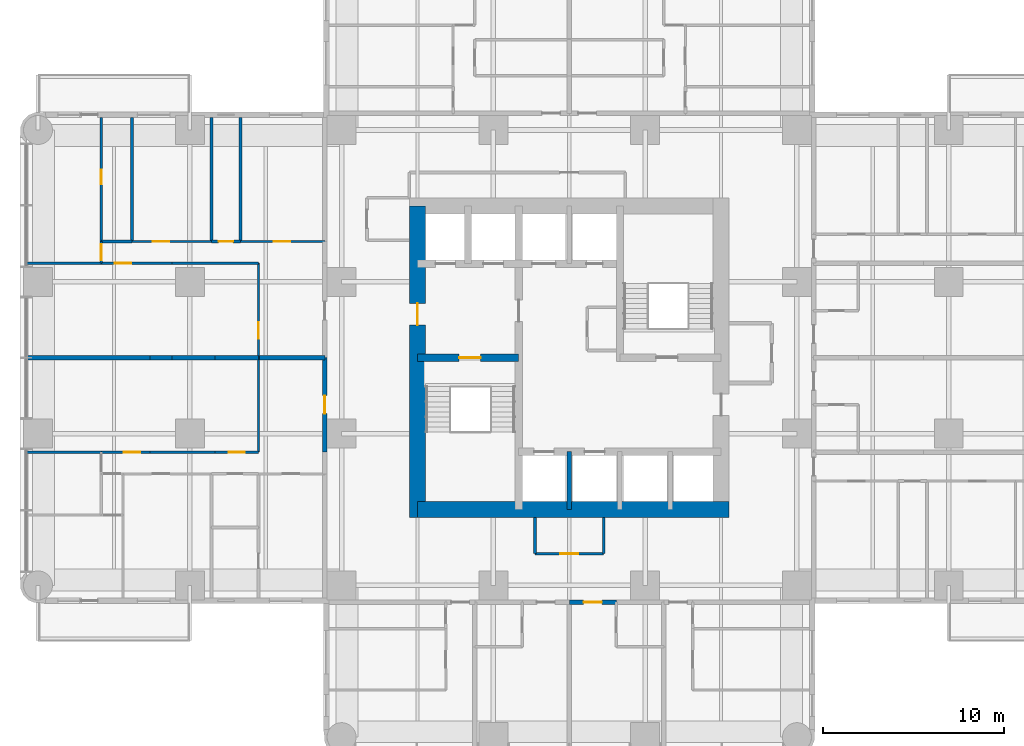
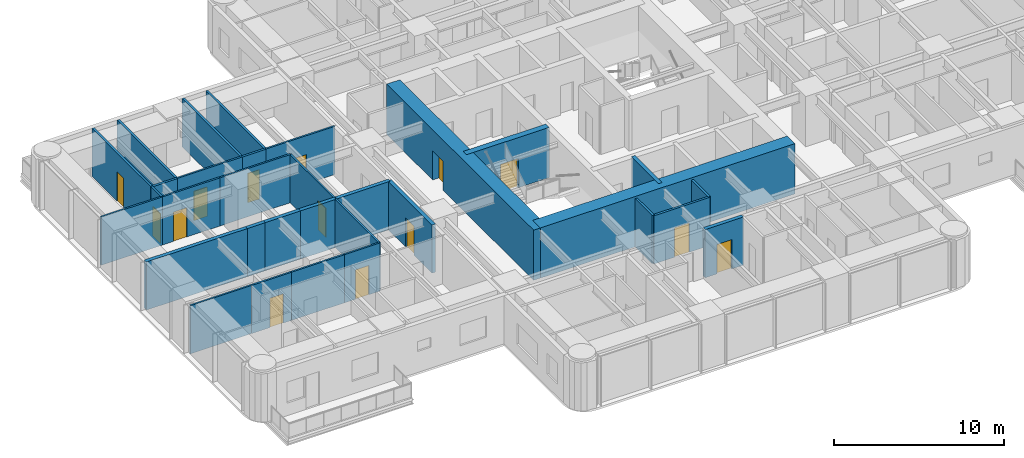
# One storey, part 7 of 14: 32 walls, 14 doors, 14 openings.
"""IFC4 building model written with IfcOpenShell, lengths in metres."""

from ifc_helpers import new_model, si_unit, direction, frame, frame_2d, origin, place, context, subcontext, project, spatial, rectangle, extrude, material, layer, layer_set, type_object, element, fill, save


model = new_model("IFC4")

# Units and contexts
model_context = context("Model", 3, precision=1e-05, world=origin(), true_north=direction((0.0, 1.0)))
body_context = subcontext(model_context, "Body", "Model", "MODEL_VIEW")
ifc_project = project(units=[si_unit("LENGTHUNIT", "METRE"), si_unit("AREAUNIT", "SQUARE_METRE"), si_unit("VOLUMEUNIT", "CUBIC_METRE"), si_unit("PLANEANGLEUNIT", "RADIAN"), si_unit("MASSUNIT", "GRAM", prefix="KILO")], contexts=[model_context])

# Site, building, storey
site_placement = place(None, origin())
site = spatial("IfcSite", under=ifc_project, at=site_placement, CompositionType="ELEMENT")
building_placement = place(site_placement, origin())
building = spatial("IfcBuilding", under=site, at=building_placement, Name="Torre Alcanfor", CompositionType="ELEMENT")
storey_placement = place(building_placement, frame((0.0, 0.0, 155.699951171875)))
storey = spatial("IfcBuildingStorey", under=building, at=storey_placement, Name="L40", CompositionType="ELEMENT", Elevation=155.699951171875)

# Wall, opening, door
ifc_material_1 = material(Name="Concrete block masonry, hollow blocks NMX-C-404 9 MPa", Category="masonry")
ifc_layer_1 = layer(ifc_material_1, 0.25)
ifc_layer_set_1 = layer_set([ifc_layer_1], Name="Apartment entrance wall 250 EI 60")
wall_type_1 = type_object("IfcWallType", Name="Apartment entrance wall 250 EI 60", PredefinedType="PARTITIONING", material=ifc_layer_set_1)
wall_1_placement = place(storey_placement, frame((32.0, 15.875, 0.0), z_axis=(0.0, 0.0, 1.0), x_axis=(-1.0, 0.0, 0.0)))
wall_1 = element("IfcWall", 1, at=wall_1_placement, inside=storey, type_object=wall_type_1, Name="Partition L40-CORR / L40-S1A-STUDIO", PredefinedType="PARTITIONING", context=body_context, shape_type="SweptSolid", body=[
    extrude(rectangle(XDim=2.60009765625, YDim=0.25, at=frame_2d((1.300048828125, 0.0))), origin(), (0.0, 0.0, 1.0), 3.449951171875),
])
opening_1_placement = place(wall_1_placement, frame((0.800048828125, 0.0, 0.0)))
opening_1 = element("IfcOpeningElement", 2, at=opening_1_placement, cuts=wall_1, Name="Opening D-A1", PredefinedType="OPENING", context=body_context, shape_type="SweptSolid", body=[
    extrude(rectangle(XDim=1.0, YDim=2.10009765625, at=frame_2d((0.5, 1.050048828125))), frame((0.0, 0.135009765625, 0.0), z_axis=(0.0, -1.0, 0.0), x_axis=(1.0, 0.0, 0.0)), (0.0, 0.0, 1.0), 0.27001953125),
])
ifc_material_2 = material(Name="Galvanised steel sheet ASTM A653", Category="steel")
door_type_1 = type_object("IfcDoorType", Name="Apartment entrance door FD60 1000x2100", OperationType="SINGLE_SWING_LEFT", PredefinedType="DOOR", material=ifc_material_2)
door_1_placement = place(opening_1_placement, origin())
door_1 = element("IfcDoor", 3, at=door_1_placement, inside=storey, type_object=door_type_1, Name="Apartment entrance L40-S1A", OperationType="SINGLE_SWING_LEFT", OverallHeight=2.10009765625, OverallWidth=1.0, PredefinedType="DOOR", context=body_context, shape_type="SweptSolid", body=[
    extrude(rectangle(XDim=1.0, YDim=2.10009765625, at=frame_2d((0.5, 1.050048828125))), frame((0.0, 0.02490234375, 0.0), z_axis=(0.0, -1.0, 0.0), x_axis=(1.0, 0.0, 0.0)), (0.0, 0.0, 1.0), 0.050048828125),
])
fill(opening_1, door_1)

wall_2_placement = place(storey_placement, frame((15.875, 24.1708984375, 0.0), z_axis=(0.0, 0.0, 1.0), x_axis=(0.0, 1.0, 0.0)))
wall_2 = element("IfcWall", 4, at=wall_2_placement, inside=storey, type_object=wall_type_1, Name="Partition L40-CORR / L40-W1-ZAG", PredefinedType="PARTITIONING", context=body_context, shape_type="SweptSolid", body=[
    extrude(rectangle(XDim=5.22900390625, YDim=0.25, at=frame_2d((2.614501953125, 0.0))), origin(), (0.0, 0.0, 1.0), 3.449951171875),
])
opening_2_placement = place(wall_2_placement, frame((2.12890625, 0.0, 0.0)))
opening_2 = element("IfcOpeningElement", 5, at=opening_2_placement, cuts=wall_2, Name="Opening D-A1", PredefinedType="OPENING", context=body_context, shape_type="SweptSolid", body=[
    extrude(rectangle(XDim=1.0, YDim=2.10009765625, at=frame_2d((0.5, 1.050048828125))), frame((0.0, 0.135009765625, 0.0), z_axis=(0.0, -1.0, 0.0), x_axis=(1.0, 0.0, 0.0)), (0.0, 0.0, 1.0), 0.27001953125),
])
door_2_placement = place(opening_2_placement, origin())
door_2 = element("IfcDoor", 6, at=door_2_placement, inside=storey, type_object=door_type_1, Name="Apartment entrance L40-W1", OperationType="SINGLE_SWING_RIGHT", OverallHeight=2.10009765625, OverallWidth=1.0, PredefinedType="DOOR", context=body_context, shape_type="SweptSolid", body=[
    extrude(rectangle(XDim=1.0, YDim=2.10009765625, at=frame_2d((0.5, 1.050048828125))), frame((0.0, 0.02490234375, 0.0), z_axis=(0.0, -1.0, 0.0), x_axis=(1.0, 0.0, 0.0)), (0.0, 0.0, 1.0), 0.050048828125),
])
fill(opening_2, door_2)

# Wall
ifc_material_3 = material(Name="Gypsum board on steel studs", Category="steel")
ifc_layer_2 = layer(ifc_material_3, 0.1201171875)
ifc_layer_set_2 = layer_set([ifc_layer_2], Name="Apartment partition 120")
wall_type_2 = type_object("IfcWallType", Name="Apartment partition 120", PredefinedType="PARTITIONING", material=ifc_layer_set_2)
wall_3_placement = place(storey_placement, frame((12.199951171875, 29.39990234375, 0.0), z_axis=(0.0, 0.0, 1.0), x_axis=(0.0, -1.0, 0.0)))
element("IfcWall", 7, at=wall_3_placement, inside=storey, type_object=wall_type_2, Name="Partition L40-W1-ZAG / L40-W1-LAUND", PredefinedType="PARTITIONING", context=body_context, shape_type="SweptSolid", body=[
    extrude(rectangle(XDim=5.22900390625, YDim=0.1201171875, at=frame_2d((2.614501953125, 0.0))), origin(), (0.0, 0.0, 1.0), 3.449951171875),
])

# Wall, opening, door
wall_4_placement = place(storey_placement, frame((9.800048828125, 24.1708984375, 0.0), z_axis=(0.0, 0.0, 1.0), x_axis=(1.0, 0.0, 0.0)))
wall_4 = element("IfcWall", 8, at=wall_4_placement, inside=storey, type_object=wall_type_2, Name="Partition L40-W1-LAUND / L40-W1-HALL", PredefinedType="PARTITIONING", context=body_context, shape_type="SweptSolid", body=[
    extrude(rectangle(XDim=2.39990234375, YDim=0.1201171875, at=frame_2d((1.199951171875, 0.0))), origin(), (0.0, 0.0, 1.0), 3.449951171875),
])
opening_3_placement = place(wall_4_placement, frame((0.75, 0.0, 0.0)))
opening_3 = element("IfcOpeningElement", 9, at=opening_3_placement, cuts=wall_4, Name="Opening D-R1", PredefinedType="OPENING", context=body_context, shape_type="SweptSolid", body=[
    extrude(rectangle(XDim=0.89990234375, YDim=2.10009765625, at=frame_2d((0.449951171875, 1.050048828125))), frame((0.0, 0.070068359375, 0.0), z_axis=(0.0, -1.0, 0.0), x_axis=(1.0, 0.0, 0.0)), (0.0, 0.0, 1.0), 0.14013671875),
])
ifc_material_4 = material(Name="Timber", Category="wood")
door_type_2 = type_object("IfcDoorType", Name="Internal door 900x2100", OperationType="SINGLE_SWING_LEFT", PredefinedType="DOOR", material=ifc_material_4)
door_3_placement = place(opening_3_placement, origin())
door_3 = element("IfcDoor", 10, at=door_3_placement, inside=storey, type_object=door_type_2, Name="Door L40-W1 laund", OperationType="SINGLE_SWING_LEFT", OverallHeight=2.10009765625, OverallWidth=0.89990234375, PredefinedType="DOOR", context=body_context, shape_type="SweptSolid", body=[
    extrude(rectangle(XDim=0.89990234375, YDim=2.10009765625, at=frame_2d((0.449951171875, 1.050048828125))), frame((0.0, 0.02490234375, 0.0), z_axis=(0.0, -1.0, 0.0), x_axis=(1.0, 0.0, 0.0)), (0.0, 0.0, 1.0), 0.050048828125),
])
fill(opening_3, door_3)

# Wall
wall_5_placement = place(storey_placement, frame((6.199951171875, 24.1708984375, 0.0), z_axis=(0.0, 0.0, 1.0), x_axis=(1.0, 0.0, 0.0)))
element("IfcWall", 11, at=wall_5_placement, inside=storey, type_object=wall_type_2, Name="Partition L40-W1-KITCHEN / L40-W1-HALL", PredefinedType="PARTITIONING", context=body_context, shape_type="SweptSolid", body=[
    extrude(rectangle(XDim=3.60009765625, YDim=0.1201171875, at=frame_2d((1.800048828125, 0.0))), origin(), (0.0, 0.0, 1.0), 3.449951171875),
])

# Wall, opening, door
wall_6_placement = place(storey_placement, frame((3.5, 24.1708984375, 0.0), z_axis=(0.0, 0.0, 1.0), x_axis=(1.0, 0.0, 0.0)))
wall_6 = element("IfcWall", 12, at=wall_6_placement, inside=storey, type_object=wall_type_2, Name="Partition L40-W1-LIVING / L40-W1-HALL", PredefinedType="PARTITIONING", context=body_context, shape_type="SweptSolid", body=[
    extrude(rectangle(XDim=2.699951171875, YDim=0.1201171875, at=frame_2d((1.35009765625, 0.0))), origin(), (0.0, 0.0, 1.0), 3.449951171875),
])
opening_4_placement = place(wall_6_placement, frame((1.25, 0.0, 0.0)))
opening_4 = element("IfcOpeningElement", 13, at=opening_4_placement, cuts=wall_6, Name="Opening D-R1", PredefinedType="OPENING", context=body_context, shape_type="SweptSolid", body=[
    extrude(rectangle(XDim=0.89990234375, YDim=2.10009765625, at=frame_2d((0.449951171875, 1.050048828125))), frame((0.0, 0.070068359375, 0.0), z_axis=(0.0, -1.0, 0.0), x_axis=(1.0, 0.0, 0.0)), (0.0, 0.0, 1.0), 0.14013671875),
])
door_4_placement = place(opening_4_placement, origin())
door_4 = element("IfcDoor", 14, at=door_4_placement, inside=storey, type_object=door_type_2, Name="Door L40-W1 living", OperationType="SINGLE_SWING_RIGHT", OverallHeight=2.10009765625, OverallWidth=0.89990234375, PredefinedType="DOOR", context=body_context, shape_type="SweptSolid", body=[
    extrude(rectangle(XDim=0.89990234375, YDim=2.10009765625, at=frame_2d((0.449951171875, 1.050048828125))), frame((0.0, 0.02490234375, 0.0), z_axis=(0.0, -1.0, 0.0), x_axis=(1.0, 0.0, 0.0)), (0.0, 0.0, 1.0), 0.050048828125),
])
fill(opening_4, door_4)

# Wall
wall_7_placement = place(storey_placement, frame((-0.64990234375, 24.1708984375, 0.0), z_axis=(0.0, 0.0, 1.0), x_axis=(1.0, 0.0, 0.0)))
element("IfcWall", 15, at=wall_7_placement, inside=storey, type_object=wall_type_2, Name="Partition L40-W1-LIVING / L40-W1-BED2", PredefinedType="PARTITIONING", context=body_context, shape_type="SweptSolid", body=[
    extrude(rectangle(XDim=4.14990234375, YDim=0.1201171875, at=frame_2d((2.074951171875, 0.0))), origin(), (0.0, 0.0, 1.0), 3.449951171875),
])

# Wall, opening, door
wall_8_placement = place(storey_placement, frame((12.199951171875, 29.39990234375, 0.0), z_axis=(0.0, 0.0, 1.0), x_axis=(0.0, 1.0, 0.0)))
wall_8 = element("IfcWall", 16, at=wall_8_placement, inside=storey, type_object=wall_type_2, Name="Partition L40-W2-ZAG / L40-W2-KITCHEN", PredefinedType="PARTITIONING", context=body_context, shape_type="SweptSolid", body=[
    extrude(rectangle(XDim=5.22900390625, YDim=0.1201171875, at=frame_2d((2.614501953125, 0.0))), origin(), (0.0, 0.0, 1.0), 3.449951171875),
])
opening_5_placement = place(wall_8_placement, frame((1.050048828125, 0.0, 0.0)))
opening_5 = element("IfcOpeningElement", 17, at=opening_5_placement, cuts=wall_8, Name="Opening D-R1", PredefinedType="OPENING", context=body_context, shape_type="SweptSolid", body=[
    extrude(rectangle(XDim=0.89990234375, YDim=2.10009765625, at=frame_2d((0.449951171875, 1.050048828125))), frame((0.0, 0.070068359375, 0.0), z_axis=(0.0, -1.0, 0.0), x_axis=(1.0, 0.0, 0.0)), (0.0, 0.0, 1.0), 0.14013671875),
])
door_5_placement = place(opening_5_placement, origin())
door_5 = element("IfcDoor", 18, at=door_5_placement, inside=storey, type_object=door_type_2, Name="Door L40-W2 kitchen", OperationType="SINGLE_SWING_LEFT", OverallHeight=2.10009765625, OverallWidth=0.89990234375, PredefinedType="DOOR", context=body_context, shape_type="SweptSolid", body=[
    extrude(rectangle(XDim=0.89990234375, YDim=2.10009765625, at=frame_2d((0.449951171875, 1.050048828125))), frame((0.0, 0.02490234375, 0.0), z_axis=(0.0, -1.0, 0.0), x_axis=(1.0, 0.0, 0.0)), (0.0, 0.0, 1.0), 0.050048828125),
])
fill(opening_5, door_5)

# Wall
wall_9_placement = place(storey_placement, frame((7.39990234375, 34.62890625, 0.0), z_axis=(0.0, 0.0, 1.0), x_axis=(1.0, 0.0, 0.0)))
element("IfcWall", 19, at=wall_9_placement, inside=storey, type_object=wall_type_2, Name="Partition L40-W2-KITCHEN / L40-W2-HALL", PredefinedType="PARTITIONING", context=body_context, shape_type="SweptSolid", body=[
    extrude(rectangle(XDim=4.800048828125, YDim=0.1201171875, at=frame_2d((2.39990234375, 0.0))), origin(), (0.0, 0.0, 1.0), 3.449951171875),
])

# Wall, opening, door
wall_10_placement = place(storey_placement, frame((3.5, 34.62890625, 0.0), z_axis=(0.0, 0.0, 1.0), x_axis=(1.0, 0.0, 0.0)))
wall_10 = element("IfcWall", 20, at=wall_10_placement, inside=storey, type_object=wall_type_2, Name="Partition L40-W2-LIVING / L40-W2-HALL", PredefinedType="PARTITIONING", context=body_context, shape_type="SweptSolid", body=[
    extrude(rectangle(XDim=3.89990234375, YDim=0.1201171875, at=frame_2d((1.949951171875, 0.0))), origin(), (0.0, 0.0, 1.0), 3.449951171875),
])
opening_6_placement = place(wall_10_placement, frame((0.75, 0.0, 0.0)))
opening_6 = element("IfcOpeningElement", 21, at=opening_6_placement, cuts=wall_10, Name="Opening D-R1", PredefinedType="OPENING", context=body_context, shape_type="SweptSolid", body=[
    extrude(rectangle(XDim=0.89990234375, YDim=2.10009765625, at=frame_2d((0.449951171875, 1.050048828125))), frame((0.0, 0.070068359375, 0.0), z_axis=(0.0, -1.0, 0.0), x_axis=(1.0, 0.0, 0.0)), (0.0, 0.0, 1.0), 0.14013671875),
])
door_6_placement = place(opening_6_placement, frame((0.89990234375, 0.0, 0.0), z_axis=(0.0, 0.0, 1.0), x_axis=(-1.0, 0.0, 0.0)))
door_6 = element("IfcDoor", 22, at=door_6_placement, inside=storey, type_object=door_type_2, Name="Door L40-W2 living", OperationType="SINGLE_SWING_LEFT", OverallHeight=2.10009765625, OverallWidth=0.89990234375, PredefinedType="DOOR", context=body_context, shape_type="SweptSolid", body=[
    extrude(rectangle(XDim=0.89990234375, YDim=2.10009765625, at=frame_2d((0.449951171875, 1.050048828125))), frame((0.0, 0.025146484375, 0.0), z_axis=(0.0, -1.0, 0.0), x_axis=(1.0, 0.0, 0.0)), (0.0, 0.0, 1.0), 0.050048828125),
])
fill(opening_6, door_6)

# Wall
wall_11_placement = place(storey_placement, frame((-0.64990234375, 34.62890625, 0.0), z_axis=(0.0, 0.0, 1.0), x_axis=(1.0, 0.0, 0.0)))
element("IfcWall", 23, at=wall_11_placement, inside=storey, type_object=wall_type_2, Name="Partition L40-W2-LIVING / L40-W2-MASTER", PredefinedType="PARTITIONING", context=body_context, shape_type="SweptSolid", body=[
    extrude(rectangle(XDim=4.14990234375, YDim=0.1201171875, at=frame_2d((2.074951171875, 0.0))), origin(), (0.0, 0.0, 1.0), 3.449951171875),
])

# Wall, opening, door
wall_12_placement = place(storey_placement, frame((11.199951171875, 35.8291015625, 0.0), z_axis=(0.0, 0.0, 1.0), x_axis=(1.0, 0.0, 0.0)))
wall_12 = element("IfcWall", 24, at=wall_12_placement, inside=storey, type_object=wall_type_2, Name="Partition L40-W2-HALL / L40-W2-BED3", PredefinedType="PARTITIONING", context=body_context, shape_type="SweptSolid", body=[
    extrude(rectangle(XDim=4.675048828125, YDim=0.1201171875, at=frame_2d((2.33740234375, 0.0))), origin(), (0.0, 0.0, 1.0), 3.449951171875),
])
opening_7_placement = place(wall_12_placement, frame((1.85009765625, 0.0, 0.0)))
opening_7 = element("IfcOpeningElement", 25, at=opening_7_placement, cuts=wall_12, Name="Opening D-R1", PredefinedType="OPENING", context=body_context, shape_type="SweptSolid", body=[
    extrude(rectangle(XDim=0.89990234375, YDim=2.10009765625, at=frame_2d((0.449951171875, 1.050048828125))), frame((0.0, 0.070068359375, 0.0), z_axis=(0.0, -1.0, 0.0), x_axis=(1.0, 0.0, 0.0)), (0.0, 0.0, 1.0), 0.14013671875),
])
door_7_placement = place(opening_7_placement, origin())
door_7 = element("IfcDoor", 26, at=door_7_placement, inside=storey, type_object=door_type_2, Name="Door L40-W2 bed3", OperationType="SINGLE_SWING_LEFT", OverallHeight=2.10009765625, OverallWidth=0.89990234375, PredefinedType="DOOR", context=body_context, shape_type="SweptSolid", body=[
    extrude(rectangle(XDim=0.89990234375, YDim=2.10009765625, at=frame_2d((0.449951171875, 1.050048828125))), frame((0.0, 0.02490234375, 0.0), z_axis=(0.0, -1.0, 0.0), x_axis=(1.0, 0.0, 0.0)), (0.0, 0.0, 1.0), 0.050048828125),
])
fill(opening_7, door_7)

wall_13_placement = place(storey_placement, frame((5.199951171875, 35.8291015625, 0.0), z_axis=(0.0, 0.0, 1.0), x_axis=(1.0, 0.0, 0.0)))
wall_13 = element("IfcWall", 27, at=wall_13_placement, inside=storey, type_object=wall_type_2, Name="Partition L40-W2-HALL / L40-W2-BED2", PredefinedType="PARTITIONING", context=body_context, shape_type="SweptSolid", body=[
    extrude(rectangle(XDim=4.400146484375, YDim=0.1201171875, at=frame_2d((2.2001953125, 0.0))), origin(), (0.0, 0.0, 1.0), 3.449951171875),
])
opening_8_placement = place(wall_13_placement, frame((1.14990234375, 0.0, 0.0)))
opening_8 = element("IfcOpeningElement", 28, at=opening_8_placement, cuts=wall_13, Name="Opening D-R1", PredefinedType="OPENING", context=body_context, shape_type="SweptSolid", body=[
    extrude(rectangle(XDim=0.89990234375, YDim=2.10009765625, at=frame_2d((0.449951171875, 1.050048828125))), frame((0.0, 0.070068359375, 0.0), z_axis=(0.0, -1.0, 0.0), x_axis=(1.0, 0.0, 0.0)), (0.0, 0.0, 1.0), 0.14013671875),
])
door_8_placement = place(opening_8_placement, origin())
door_8 = element("IfcDoor", 29, at=door_8_placement, inside=storey, type_object=door_type_2, Name="Door L40-W2 bed2", OperationType="SINGLE_SWING_LEFT", OverallHeight=2.10009765625, OverallWidth=0.89990234375, PredefinedType="DOOR", context=body_context, shape_type="SweptSolid", body=[
    extrude(rectangle(XDim=0.89990234375, YDim=2.10009765625, at=frame_2d((0.449951171875, 1.050048828125))), frame((0.0, 0.02490234375, 0.0), z_axis=(0.0, -1.0, 0.0), x_axis=(1.0, 0.0, 0.0)), (0.0, 0.0, 1.0), 0.050048828125),
])
fill(opening_8, door_8)

wall_14_placement = place(storey_placement, frame((3.5, 34.62890625, 0.0), z_axis=(0.0, 0.0, 1.0), x_axis=(0.0, 1.0, 0.0)))
wall_14 = element("IfcWall", 30, at=wall_14_placement, inside=storey, type_object=wall_type_2, Name="Partition L40-W2-HALL / L40-W2-MASTER", PredefinedType="PARTITIONING", context=body_context, shape_type="SweptSolid", body=[
    extrude(rectangle(XDim=1.2001953125, YDim=0.1201171875, at=frame_2d((0.60009765625, 0.0))), origin(), (0.0, 0.0, 1.0), 3.449951171875),
])
opening_9_placement = place(wall_14_placement, frame((0.15087890625, 0.0, 0.0)))
opening_9 = element("IfcOpeningElement", 31, at=opening_9_placement, cuts=wall_14, Name="Opening D-R1", PredefinedType="OPENING", context=body_context, shape_type="SweptSolid", body=[
    extrude(rectangle(XDim=0.89990234375, YDim=2.10009765625, at=frame_2d((0.449951171875, 1.050048828125))), frame((0.0, 0.070068359375, 0.0), z_axis=(0.0, -1.0, 0.0), x_axis=(1.0, 0.0, 0.0)), (0.0, 0.0, 1.0), 0.14013671875),
])
door_9_placement = place(opening_9_placement, origin())
door_9 = element("IfcDoor", 32, at=door_9_placement, inside=storey, type_object=door_type_2, Name="Door L40-W2 master", OperationType="SINGLE_SWING_LEFT", OverallHeight=2.10009765625, OverallWidth=0.89990234375, PredefinedType="DOOR", context=body_context, shape_type="SweptSolid", body=[
    extrude(rectangle(XDim=0.89990234375, YDim=2.10009765625, at=frame_2d((0.449951171875, 1.050048828125))), frame((0.0, 0.02490234375, 0.0), z_axis=(0.0, -1.0, 0.0), x_axis=(1.0, 0.0, 0.0)), (0.0, 0.0, 1.0), 0.050048828125),
])
fill(opening_9, door_9)

ifc_material_5 = material(Name="Concrete f'c 70 MPa", Category="concrete")
ifc_layer_3 = layer(ifc_material_5, 0.39990234375)
ifc_layer_set_3 = layer_set([ifc_layer_3], Name="Core inner wall 400 f'c70")
wall_type_3 = type_object("IfcWallType", Name="Core inner wall 400 f'c70", PredefinedType="SHEAR", material=ifc_layer_set_3)
wall_15_placement = place(storey_placement, frame((21.0, 29.39990234375, 0.0), z_axis=(0.0, 0.0, 1.0), x_axis=(1.0, 0.0, 0.0)))
wall_15 = element("IfcWall", 33, at=wall_15_placement, inside=storey, type_object=wall_type_3, Name="Core wall Y294W L40", PredefinedType="SHEAR", context=body_context, shape_type="SweptSolid", body=[
    extrude(rectangle(XDim=5.60009765625, YDim=0.39990234375, at=frame_2d((2.800048828125, 0.0))), origin(), (0.0, 0.0, 1.0), 3.60009765625),
])
opening_10_placement = place(wall_15_placement, frame((2.300048828125, 0.0, 0.0)))
opening_10 = element("IfcOpeningElement", 34, at=opening_10_placement, cuts=wall_15, Name="Opening D-S2", PredefinedType="OPENING", context=body_context, shape_type="SweptSolid", body=[
    extrude(rectangle(XDim=1.199951171875, YDim=2.10009765625, at=frame_2d((0.60009765625, 1.050048828125))), frame((0.0, 0.2099609375, 0.0), z_axis=(0.0, -1.0, 0.0), x_axis=(1.0, 0.0, 0.0)), (0.0, 0.0, 1.0), 0.419921875),
])
ifc_material_6 = material(Name="Galvanised steel sheet ASTM A653", Category="steel")
door_type_3 = type_object("IfcDoorType", Name="Stair enclosure door FD120 1200x2100", OperationType="SINGLE_SWING_LEFT", PredefinedType="DOOR", material=ifc_material_6)
door_10_placement = place(opening_10_placement, frame((1.199951171875, 0.0, 0.0), z_axis=(0.0, 0.0, 1.0), x_axis=(-1.0, 0.0, 0.0)))
door_10 = element("IfcDoor", 35, at=door_10_placement, inside=storey, type_object=door_type_3, Name="Stair S1 door L40", OperationType="SINGLE_SWING_LEFT", OverallHeight=2.10009765625, OverallWidth=1.199951171875, PredefinedType="DOOR", context=body_context, shape_type="SweptSolid", body=[
    extrude(rectangle(XDim=1.199951171875, YDim=2.10009765625, at=frame_2d((0.599853515625, 1.050048828125))), frame((0.0, 0.025146484375, 0.0), z_axis=(0.0, -1.0, 0.0), x_axis=(1.0, 0.0, 0.0)), (0.0, 0.0, 1.0), 0.050048828125),
])
fill(opening_10, door_10)

# Walls
ifc_material_7 = material(Name="Concrete f'c 70 MPa", Category="concrete")
ifc_layer_4 = layer(ifc_material_7, 0.25)
ifc_layer_set_4 = layer_set([ifc_layer_4], Name="Core shaft wall 250 f'c70")
wall_type_4 = type_object("IfcWallType", Name="Core shaft wall 250 f'c70", PredefinedType="SHEAR", material=ifc_layer_set_4)
wall_16_placement = place(storey_placement, frame((29.39990234375, 21.0, 0.0), z_axis=(0.0, 0.0, 1.0), x_axis=(0.0, 1.0, 0.0)))
element("IfcWall", 36, at=wall_16_placement, inside=storey, type_object=wall_type_4, Name="Core wall X294S L40", PredefinedType="SHEAR", context=body_context, shape_type="SweptSolid", body=[
    extrude(rectangle(XDim=3.199951171875, YDim=0.25, at=frame_2d((1.60009765625, 0.0))), origin(), (0.0, 0.0, 1.0), 3.60009765625),
])
ifc_material_8 = material(Name="Concrete f'c 70 MPa", Category="concrete")
ifc_layer_5 = layer(ifc_material_8, 0.89990234375)
ifc_layer_set_5 = layer_set([ifc_layer_5], Name="Core wall 900 f'c70")
wall_type_5 = type_object("IfcWallType", Name="Core wall 900 f'c70", PredefinedType="SHEAR", material=ifc_layer_set_5)
wall_17_placement = place(storey_placement, frame((21.0, 21.0, 0.0), z_axis=(0.0, 0.0, 1.0), x_axis=(1.0, 0.0, 0.0)))
element("IfcWall", 37, at=wall_17_placement, inside=storey, type_object=wall_type_5, Name="Core wall OUT-S L40", PredefinedType="SHEAR", context=body_context, shape_type="SweptSolid", body=[
    extrude(rectangle(XDim=17.25, YDim=0.89990234375, at=frame_2d((8.625, 0.0))), origin(), (0.0, 0.0, 1.0), 3.60009765625),
])

# Wall, opening, door
wall_18_placement = place(storey_placement, frame((21.0, 37.800048828125, 0.0), z_axis=(0.0, 0.0, 1.0), x_axis=(0.0, -1.0, 0.0)))
wall_18 = element("IfcWall", 38, at=wall_18_placement, inside=storey, type_object=wall_type_5, Name="Core wall OUT-W L40", PredefinedType="SHEAR", context=body_context, shape_type="SweptSolid", body=[
    extrude(rectangle(XDim=17.25, YDim=0.89990234375, at=frame_2d((8.625, 0.0))), origin(), (0.0, 0.0, 1.0), 3.60009765625),
])
opening_11_placement = place(wall_18_placement, frame((5.39990234375, 0.0, 0.0)))
opening_11 = element("IfcOpeningElement", 39, at=opening_11_placement, cuts=wall_18, Name="Opening D-L1", PredefinedType="OPENING", context=body_context, shape_type="SweptSolid", body=[
    extrude(rectangle(XDim=1.199951171875, YDim=2.10009765625, at=frame_2d((0.60009765625, 1.050048828125))), frame((0.0, 0.4599609375, 0.0), z_axis=(0.0, -1.0, 0.0), x_axis=(1.0, 0.0, 0.0)), (0.0, 0.0, 1.0), 0.919921875),
])
ifc_material_9 = material(Name="Galvanised steel sheet ASTM A653", Category="steel")
door_type_4 = type_object("IfcDoorType", Name="Lobby door FD120 1200x2100", OperationType="SINGLE_SWING_LEFT", PredefinedType="DOOR", material=ifc_material_9)
door_11_placement = place(opening_11_placement, origin())
door_11 = element("IfcDoor", 40, at=door_11_placement, inside=storey, type_object=door_type_4, Name="Firefighting lobby door L40", OperationType="SINGLE_SWING_LEFT", OverallHeight=2.10009765625, OverallWidth=1.199951171875, PredefinedType="DOOR", context=body_context, shape_type="SweptSolid", body=[
    extrude(rectangle(XDim=1.199951171875, YDim=2.10009765625, at=frame_2d((0.60009765625, 1.050048828125))), frame((0.0, 0.02490234375, 0.0), z_axis=(0.0, -1.0, 0.0), x_axis=(1.0, 0.0, 0.0)), (0.0, 0.0, 1.0), 0.050048828125),
])
fill(opening_11, door_11)

# Walls
ifc_material_10 = material(Name="Concrete block masonry, hollow blocks NMX-C-404 9 MPa", Category="masonry")
ifc_layer_6 = layer(ifc_material_10, 0.25)
ifc_layer_set_6 = layer_set([ifc_layer_6], Name="Party wall 250 EI 60")
wall_type_6 = type_object("IfcWallType", Name="Party wall 250 EI 60", PredefinedType="PARTITIONING", material=ifc_layer_set_6)
wall_19_placement = place(storey_placement, frame((15.875, 29.39990234375, 0.0), z_axis=(0.0, 0.0, 1.0), x_axis=(-1.0, 0.0, 0.0)))
element("IfcWall", 41, at=wall_19_placement, inside=storey, type_object=wall_type_6, Name="Partition L40-W1-ZAG / L40-W2-ZAG", PredefinedType="PARTITIONING", context=body_context, shape_type="SweptSolid", body=[
    extrude(rectangle(XDim=3.675048828125, YDim=0.25, at=frame_2d((1.83740234375, 0.0))), origin(), (0.0, 0.0, 1.0), 3.449951171875),
])
wall_20_placement = place(storey_placement, frame((12.199951171875, 29.39990234375, 0.0), z_axis=(0.0, 0.0, 1.0), x_axis=(-1.0, 0.0, 0.0)))
element("IfcWall", 42, at=wall_20_placement, inside=storey, type_object=wall_type_6, Name="Partition L40-W1-LAUND / L40-W2-KITCHEN", PredefinedType="PARTITIONING", context=body_context, shape_type="SweptSolid", body=[
    extrude(rectangle(XDim=2.39990234375, YDim=0.25, at=frame_2d((1.199951171875, 0.0))), origin(), (0.0, 0.0, 1.0), 3.449951171875),
])
wall_21_placement = place(storey_placement, frame((9.800048828125, 29.39990234375, 0.0), z_axis=(0.0, 0.0, 1.0), x_axis=(-1.0, 0.0, 0.0)))
element("IfcWall", 43, at=wall_21_placement, inside=storey, type_object=wall_type_6, Name="Partition L40-W1-KITCHEN / L40-W2-KITCHEN", PredefinedType="PARTITIONING", context=body_context, shape_type="SweptSolid", body=[
    extrude(rectangle(XDim=2.400146484375, YDim=0.25, at=frame_2d((1.2001953125, 0.0))), origin(), (0.0, 0.0, 1.0), 3.449951171875),
])
wall_22_placement = place(storey_placement, frame((7.39990234375, 29.39990234375, 0.0), z_axis=(0.0, 0.0, 1.0), x_axis=(-1.0, 0.0, 0.0)))
element("IfcWall", 44, at=wall_22_placement, inside=storey, type_object=wall_type_6, Name="Partition L40-W1-KITCHEN / L40-W2-LIVING", PredefinedType="PARTITIONING", context=body_context, shape_type="SweptSolid", body=[
    extrude(rectangle(XDim=1.199951171875, YDim=0.25, at=frame_2d((0.60009765625, 0.0))), origin(), (0.0, 0.0, 1.0), 3.449951171875),
])
wall_23_placement = place(storey_placement, frame((6.199951171875, 29.39990234375, 0.0), z_axis=(0.0, 0.0, 1.0), x_axis=(-1.0, 0.0, 0.0)))
element("IfcWall", 45, at=wall_23_placement, inside=storey, type_object=wall_type_6, Name="Partition L40-W1-LIVING / L40-W2-LIVING", PredefinedType="PARTITIONING", context=body_context, shape_type="SweptSolid", body=[
    extrude(rectangle(XDim=6.849853515625, YDim=0.25, at=frame_2d((3.4248046875, 0.0))), origin(), (0.0, 0.0, 1.0), 3.449951171875),
])
ifc_material_11 = material(Name="Concrete block masonry, hollow blocks NMX-C-404 9 MPa", Category="masonry")
ifc_layer_7 = layer(ifc_material_11, 0.14990234375)
ifc_layer_set_7 = layer_set([ifc_layer_7], Name="Residents' room partition 150")
wall_type_7 = type_object("IfcWallType", Name="Residents' room partition 150", PredefinedType="PARTITIONING", material=ifc_layer_set_7)
wall_24_placement = place(storey_placement, frame((27.5, 20.550048828125, 0.0), z_axis=(0.0, 0.0, 1.0), x_axis=(0.0, -1.0, 0.0)))
element("IfcWall", 46, at=wall_24_placement, inside=storey, type_object=wall_type_7, Name="Partition L40-CORR / L40-G03", PredefinedType="PARTITIONING", context=body_context, shape_type="SweptSolid", body=[
    extrude(rectangle(XDim=2.0, YDim=0.14990234375, at=frame_2d((1.0, 0.0))), origin(), (0.0, 0.0, 1.0), 3.449951171875),
])

# Wall, opening, door
wall_25_placement = place(storey_placement, frame((27.5, 18.550048828125, 0.0), z_axis=(0.0, 0.0, 1.0), x_axis=(1.0, 0.0, 0.0)))
wall_25 = element("IfcWall", 47, at=wall_25_placement, inside=storey, type_object=wall_type_7, Name="Partition L40-CORR / L40-G03", PredefinedType="PARTITIONING", context=body_context, shape_type="SweptSolid", body=[
    extrude(rectangle(XDim=3.800048828125, YDim=0.14990234375, at=frame_2d((1.89990234375, 0.0))), origin(), (0.0, 0.0, 1.0), 3.449951171875),
])
opening_12_placement = place(wall_25_placement, frame((1.39990234375, 0.0, 0.0)))
opening_12 = element("IfcOpeningElement", 48, at=opening_12_placement, cuts=wall_25, Name="Opening D-M1", PredefinedType="OPENING", context=body_context, shape_type="SweptSolid", body=[
    extrude(rectangle(XDim=1.0, YDim=2.10009765625, at=frame_2d((0.5, 1.050048828125))), frame((0.0, 0.0849609375, 0.0), z_axis=(0.0, -1.0, 0.0), x_axis=(1.0, 0.0, 0.0)), (0.0, 0.0, 1.0), 0.169921875),
])
ifc_material_12 = material(Name="Timber", Category="wood")
door_type_5 = type_object("IfcDoorType", Name="Residents' room door 1000x2100", OperationType="SINGLE_SWING_LEFT", PredefinedType="DOOR", material=ifc_material_12)
door_12_placement = place(opening_12_placement, origin())
door_12 = element("IfcDoor", 49, at=door_12_placement, inside=storey, type_object=door_type_5, Name="Door L40-G03 bicycle store", OperationType="SINGLE_SWING_LEFT", OverallHeight=2.10009765625, OverallWidth=1.0, PredefinedType="DOOR", context=body_context, shape_type="SweptSolid", body=[
    extrude(rectangle(XDim=1.0, YDim=2.10009765625, at=frame_2d((0.5, 1.050048828125))), frame((0.0, 0.02490234375, 0.0), z_axis=(0.0, -1.0, 0.0), x_axis=(1.0, 0.0, 0.0)), (0.0, 0.0, 1.0), 0.050048828125),
])
fill(opening_12, door_12)

# Wall
wall_26_placement = place(storey_placement, frame((31.300048828125, 18.550048828125, 0.0), z_axis=(0.0, 0.0, 1.0), x_axis=(0.0, 1.0, 0.0)))
element("IfcWall", 50, at=wall_26_placement, inside=storey, type_object=wall_type_7, Name="Partition L40-CORR / L40-G03", PredefinedType="PARTITIONING", context=body_context, shape_type="SweptSolid", body=[
    extrude(rectangle(XDim=2.0, YDim=0.14990234375, at=frame_2d((1.0, 0.0))), origin(), (0.0, 0.0, 1.0), 3.449951171875),
])

# Wall, opening, door
ifc_material_13 = material(Name="Cement board on steel studs", Category="steel")
ifc_layer_8 = layer(ifc_material_13, 0.14990234375)
ifc_layer_set_8 = layer_set([ifc_layer_8], Name="Wet area partition 150")
wall_type_8 = type_object("IfcWallType", Name="Wet area partition 150", PredefinedType="PARTITIONING", material=ifc_layer_set_8)
wall_27_placement = place(storey_placement, frame((9.60009765625, 35.8291015625, 0.0), z_axis=(0.0, 0.0, 1.0), x_axis=(1.0, 0.0, 0.0)))
wall_27 = element("IfcWall", 51, at=wall_27_placement, inside=storey, type_object=wall_type_8, Name="Partition L40-W2-HALL / L40-W2-BATH1", PredefinedType="PARTITIONING", context=body_context, shape_type="SweptSolid", body=[
    extrude(rectangle(XDim=1.599853515625, YDim=0.14990234375, at=frame_2d((0.7998046875, 0.0))), origin(), (0.0, 0.0, 1.0), 3.449951171875),
])
opening_13_placement = place(wall_27_placement, frame((0.39990234375, 0.0, 0.0)))
opening_13 = element("IfcOpeningElement", 52, at=opening_13_placement, cuts=wall_27, Name="Opening D-R2", PredefinedType="OPENING", context=body_context, shape_type="SweptSolid", body=[
    extrude(rectangle(XDim=0.800048828125, YDim=2.10009765625, at=frame_2d((0.39990234375, 1.050048828125))), frame((0.0, 0.0849609375, 0.0), z_axis=(0.0, -1.0, 0.0), x_axis=(1.0, 0.0, 0.0)), (0.0, 0.0, 1.0), 0.169921875),
])
ifc_material_14 = material(Name="Timber", Category="wood")
door_type_6 = type_object("IfcDoorType", Name="Bathroom door 800x2100", OperationType="SINGLE_SWING_LEFT", PredefinedType="DOOR", material=ifc_material_14)
door_13_placement = place(opening_13_placement, origin())
door_13 = element("IfcDoor", 53, at=door_13_placement, inside=storey, type_object=door_type_6, Name="Door L40-W2 bath1", OperationType="SINGLE_SWING_LEFT", OverallHeight=2.10009765625, OverallWidth=0.800048828125, PredefinedType="DOOR", context=body_context, shape_type="SweptSolid", body=[
    extrude(rectangle(XDim=0.800048828125, YDim=2.10009765625, at=frame_2d((0.39990234375, 1.050048828125))), frame((0.0, 0.02490234375, 0.0), z_axis=(0.0, -1.0, 0.0), x_axis=(1.0, 0.0, 0.0)), (0.0, 0.0, 1.0), 0.050048828125),
])
fill(opening_13, door_13)

# Walls
wall_28_placement = place(storey_placement, frame((3.5, 35.8291015625, 0.0), z_axis=(0.0, 0.0, 1.0), x_axis=(1.0, 0.0, 0.0)))
element("IfcWall", 54, at=wall_28_placement, inside=storey, type_object=wall_type_8, Name="Partition L40-W2-HALL / L40-W2-ENSBATH", PredefinedType="PARTITIONING", context=body_context, shape_type="SweptSolid", body=[
    extrude(rectangle(XDim=1.699951171875, YDim=0.14990234375, at=frame_2d((0.85009765625, 0.0))), origin(), (0.0, 0.0, 1.0), 3.449951171875),
])
for number, where, z_axis, x_axis, name in (
    (55, (11.199951171875, 35.8291015625, 0.0), (0.0, 0.0, 1.0), (0.0, 1.0, 0.0), "Partition L40-W2-BED3 / L40-W2-BATH1"),
    (56, (9.60009765625, 35.8291015625, 0.0), (0.0, 0.0, 1.0), (0.0, 1.0, 0.0), "Partition L40-W2-BATH1 / L40-W2-BED2"),
    (57, (5.199951171875, 35.8291015625, 0.0), (0.0, 0.0, 1.0), (0.0, 1.0, 0.0), "Partition L40-W2-BED2 / L40-W2-ENSBATH"),
):
    element("IfcWall", number, at=place(storey_placement, frame(where, z_axis=z_axis, x_axis=x_axis)), inside=storey, type_object=wall_type_8, Name=name, PredefinedType="PARTITIONING", context=body_context, shape_type="SweptSolid", body=[
        extrude(rectangle(XDim=6.870849609375, YDim=0.14990234375, at=frame_2d((3.435546875, 0.0))), origin(), (0.0, 0.0, 1.0), 3.449951171875),
    ])

# Wall, opening, door
wall_29_placement = place(storey_placement, frame((3.5, 35.8291015625, 0.0), z_axis=(0.0, 0.0, 1.0), x_axis=(0.0, 1.0, 0.0)))
wall_29 = element("IfcWall", 58, at=wall_29_placement, inside=storey, type_object=wall_type_8, Name="Partition L40-W2-ENSBATH / L40-W2-MASTER", PredefinedType="PARTITIONING", context=body_context, shape_type="SweptSolid", body=[
    extrude(rectangle(XDim=6.870849609375, YDim=0.14990234375, at=frame_2d((3.435546875, 0.0))), origin(), (0.0, 0.0, 1.0), 3.449951171875),
])
opening_14_placement = place(wall_29_placement, frame((3.1708984375, 0.0, 0.0)))
opening_14 = element("IfcOpeningElement", 59, at=opening_14_placement, cuts=wall_29, Name="Opening D-R2", PredefinedType="OPENING", context=body_context, shape_type="SweptSolid", body=[
    extrude(rectangle(XDim=0.800048828125, YDim=2.10009765625, at=frame_2d((0.39990234375, 1.050048828125))), frame((0.0, 0.0849609375, 0.0), z_axis=(0.0, -1.0, 0.0), x_axis=(1.0, 0.0, 0.0)), (0.0, 0.0, 1.0), 0.169921875),
])
door_14_placement = place(opening_14_placement, frame((0.800048828125, 0.0, 0.0), z_axis=(0.0, 0.0, 1.0), x_axis=(-1.0, 0.0, 0.0)))
door_14 = element("IfcDoor", 60, at=door_14_placement, inside=storey, type_object=door_type_6, Name="Door L40-W2 ensbath", OperationType="SINGLE_SWING_LEFT", OverallHeight=2.10009765625, OverallWidth=0.800048828125, PredefinedType="DOOR", context=body_context, shape_type="SweptSolid", body=[
    extrude(rectangle(XDim=0.800048828125, YDim=2.10009765625, at=frame_2d((0.400146484375, 1.050048828125))), frame((0.0, 0.025146484375, 0.0), z_axis=(0.0, -1.0, 0.0), x_axis=(1.0, 0.0, 0.0)), (0.0, 0.0, 1.0), 0.050048828125),
])
fill(opening_14, door_14)

save(model, "model.ifc")
